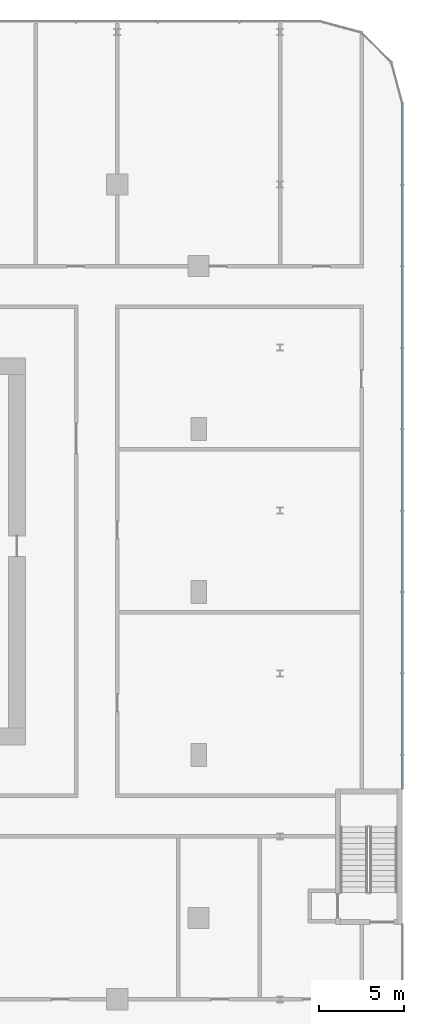
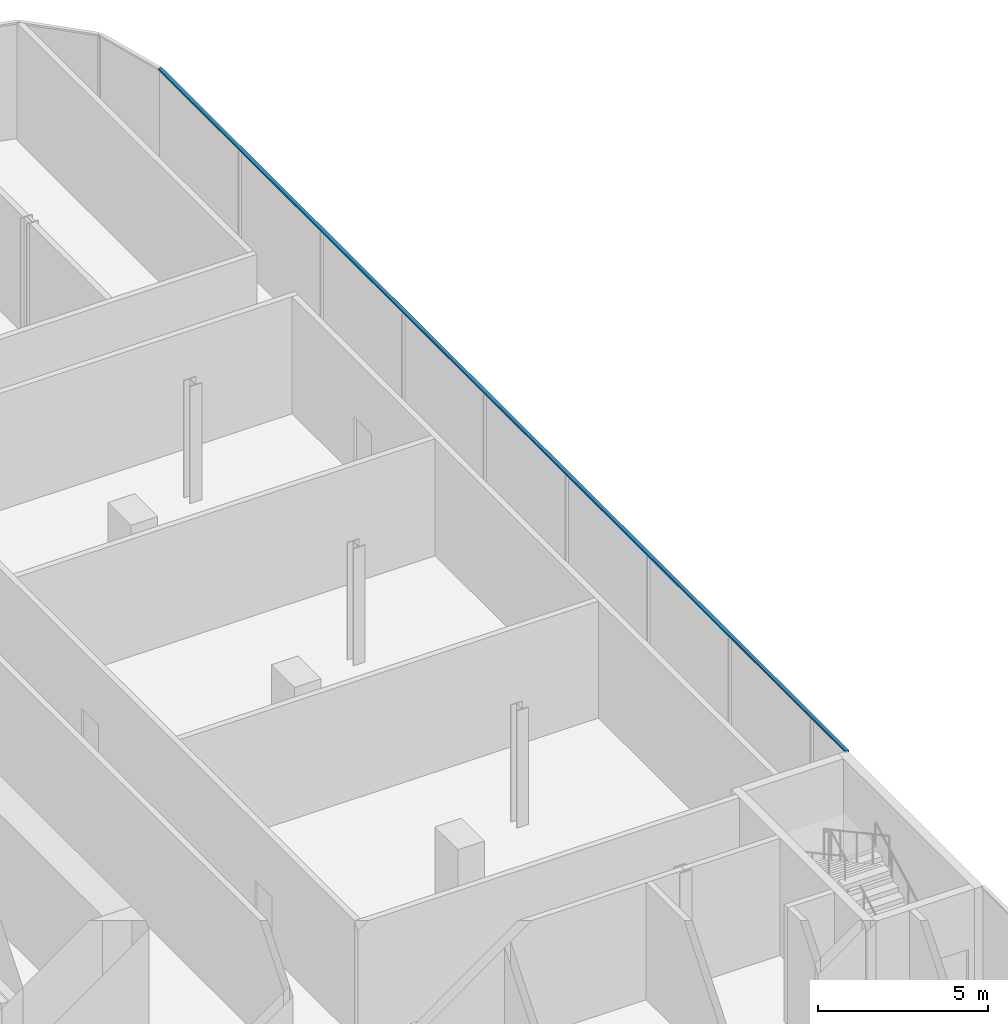
# One storey, part 15 of 38: 1 member, 1 element without a shape of its own.
"""IFC4 building model written with IfcOpenShell, lengths in metres."""

from ifc_helpers import new_model, si_unit, direction, frame, origin, origin_2d, place, context, subcontext, project, spatial, rectangle, extrude, material, layer, layer_set, material_profile, profile_set, type_object, element, aggregate, save


model = new_model("IFC4")

# Units and contexts
model_context = context("Model", 3, precision=1e-05, world=origin(), true_north=direction((0.0, 1.0)))
body_context = subcontext(model_context, "Body", "Model", "MODEL_VIEW")
ifc_project = project(units=[si_unit("LENGTHUNIT", "METRE"), si_unit("AREAUNIT", "SQUARE_METRE"), si_unit("VOLUMEUNIT", "CUBIC_METRE"), si_unit("PLANEANGLEUNIT", "RADIAN"), si_unit("MASSUNIT", "GRAM", prefix="KILO")], contexts=[model_context])

# Site, building, storey
site_placement = place(None, origin())
site = spatial("IfcSite", under=ifc_project, at=site_placement, CompositionType="ELEMENT")
building_placement = place(site_placement, origin())
building = spatial("IfcBuilding", under=site, at=building_placement, Name="Madar Terraces", CompositionType="ELEMENT")
storey_placement = place(building_placement, frame((0.0, 0.0, 15.0)))
storey = spatial("IfcBuildingStorey", under=building, at=storey_placement, Name="L03", CompositionType="ELEMENT", Elevation=15.0)

# Curtain wall, member
ifc_material_1 = material(Name="Glass, clear low-iron, with black aluminium frame", Category="aluminium")
ifc_layer = layer(ifc_material_1, 0.199951171875)
ifc_layer_set = layer_set([ifc_layer], Name="Facade curtain wall, shopfront glazing")
curtain_wall_type = type_object("IfcCurtainWallType", Name="Facade curtain wall, shopfront glazing", PredefinedType="NOTDEFINED", material=ifc_layer_set)
curtain_wall_placement = place(storey_placement, origin())
curtain_wall = element("IfcCurtainWall", 1, at=curtain_wall_placement, inside=storey, type_object=curtain_wall_type, Name="Outer skin curtain wall east bay 1", PredefinedType="NOTDEFINED")
ifc_material_2 = material(Name="Aluminium, black anodised", Category="aluminium")
ifc_material_profile = material_profile(ifc_material_2, rectangle(XDim=0.1201171875, YDim=0.06005859375, at=origin_2d()), Name="Facade transom 60x120")
ifc_profile_set = profile_set([ifc_material_profile], Name="Aluminium, black anodised")
member_type = type_object("IfcMemberType", Name="Facade transom 60x120", PredefinedType="USERDEFINED", material=ifc_profile_set)
member_placement = place(storey_placement, frame((69.60009765625, 12.39990234375, 4.169921875), z_axis=(0.0, 1.0, 0.0), x_axis=(-1.0, 0.0, 0.0)))
member = element("IfcMember", 2, at=member_placement, type_object=member_type, Name="Transom 2", ObjectType="TRANSOM", PredefinedType="USERDEFINED", context=body_context, shape_type="SweptSolid", body=[
    extrude(rectangle(XDim=0.1201171875, YDim=0.06005859375, at=origin_2d()), origin(), (0.0, 0.0, 1.0), 40.400146484375),
])
aggregate(curtain_wall, [member])

save(model, "model.ifc")
